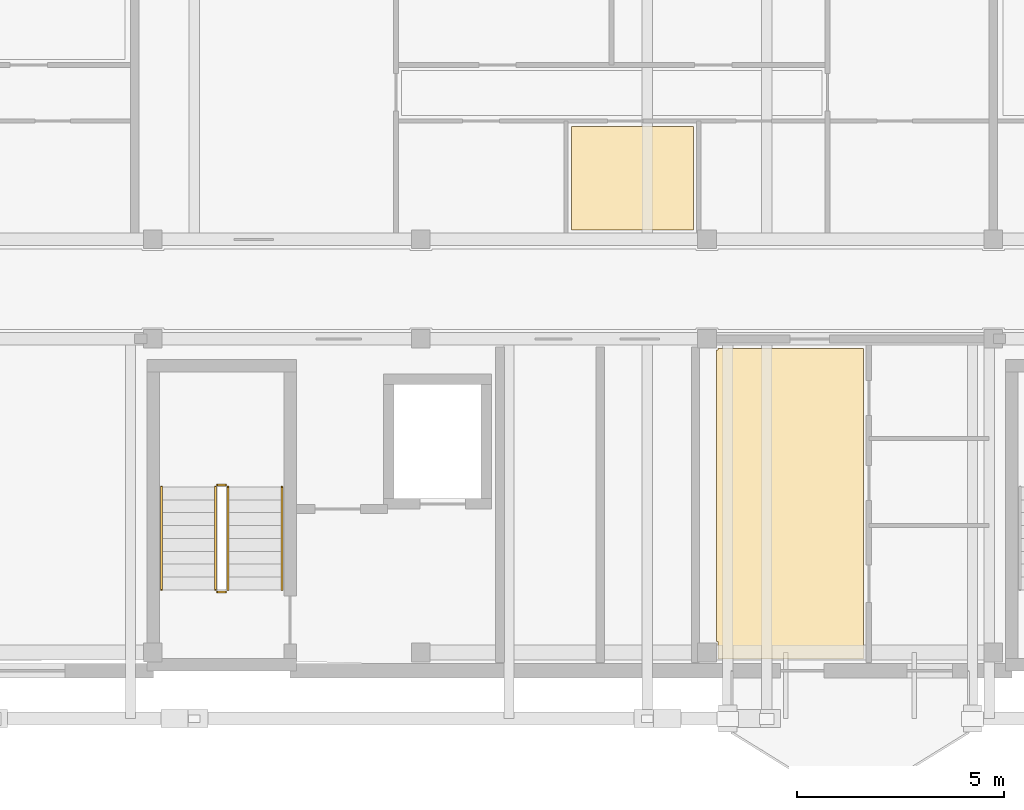
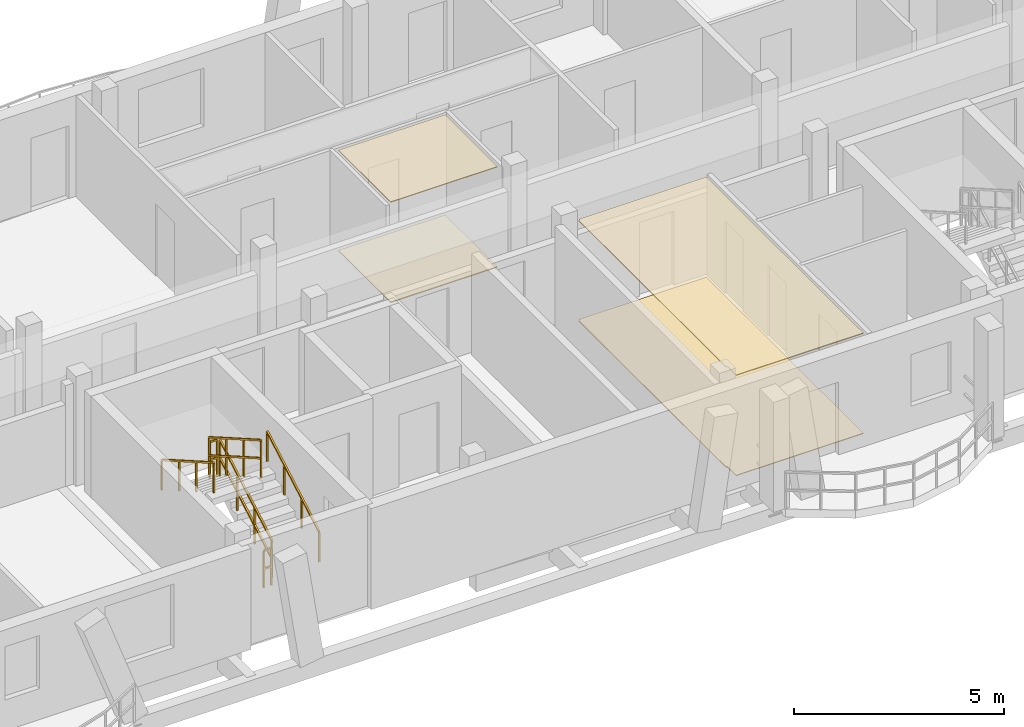
# One storey, part 49 of 52: 6 railings, 4 coverings.
"""IFC4 building model written with IfcOpenShell, lengths in metres."""

from ifc_helpers import new_model, si_unit, direction, frame, origin, origin_2d, place, context, subcontext, project, spatial, polyline, rectangle, outline, extrude, material, layer, layer_set, type_object, element, save


model = new_model("IFC4")

# Units and contexts
model_context = context("Model", 3, precision=1e-05, world=origin(), true_north=direction((0.0, 1.0)))
body_context = subcontext(model_context, "Body", "Model", "MODEL_VIEW")
ifc_project = project(units=[si_unit("LENGTHUNIT", "METRE"), si_unit("AREAUNIT", "SQUARE_METRE"), si_unit("VOLUMEUNIT", "CUBIC_METRE"), si_unit("PLANEANGLEUNIT", "RADIAN"), si_unit("MASSUNIT", "GRAM", prefix="KILO")], contexts=[model_context])

# Site, building, storey
site_placement = place(None, origin())
site = spatial("IfcSite", under=ifc_project, at=site_placement, CompositionType="ELEMENT")
building_placement = place(site_placement, origin())
building = spatial("IfcBuilding", under=site, at=building_placement, Name="Zavelmont Quarter", CompositionType="ELEMENT")
storey_placement = place(building_placement, frame((0.0, 0.0, 14.39990234375)))
storey = spatial("IfcBuildingStorey", under=building, at=storey_placement, Name="L04", CompositionType="ELEMENT", Elevation=14.39990234375)

# Coverings
ifc_material_1 = material(Name="Perforated acoustic gypsum board")
ifc_layer_1 = layer(ifc_material_1, 0.02490234375)
ifc_layer_set_1 = layer_set([ifc_layer_1], Name="Perforated acoustic gypsum board")
covering_type_1 = type_object("IfcCoveringType", Name="CV-CL01", PredefinedType="CEILING", material=ifc_layer_set_1)
covering_1_placement = place(storey_placement, frame((0.0, 0.0, 2.9150390625)))
element("IfcCovering", 1, at=covering_1_placement, inside=storey, type_object=covering_type_1, Name="L04 Living Dining acoustic ceiling", PredefinedType="CEILING", context=body_context, shape_type="SweptSolid", body=[
    extrude(outline(polyline([(140.6298828125, 105.3349609375), (140.6650390625, 105.3349609375), (140.6650390625, 105.3701171875), (144.169921875, 105.3701171875), (144.169921875, 97.8798828125), (140.6650390625, 97.8798828125), (140.6650390625, 98.304931640625), (140.6298828125, 98.304931640625), (140.6298828125, 105.3349609375)])), origin(), (0.0, 0.0, 1.0), 0.025146484375),
])
ifc_material_2 = material(Name="Moisture-resistant painted gypsum ceiling")
ifc_layer_2 = layer(ifc_material_2, 0.02001953125)
ifc_layer_set_2 = layer_set([ifc_layer_2], Name="Moisture-resistant painted gypsum ceiling")
covering_type_2 = type_object("IfcCoveringType", Name="CV-CL04", PredefinedType="CEILING", material=ifc_layer_set_2)
covering_2_placement = place(storey_placement, frame((0.0, 0.0, 2.920166015625)))
element("IfcCovering", 2, at=covering_2_placement, inside=storey, type_object=covering_type_2, Name="L04 Bathroom acoustic ceiling", PredefinedType="CEILING", context=body_context, shape_type="SweptSolid", body=[
    extrude(outline(polyline([(137.1298828125, 110.719970703125), (140.070068359375, 110.719970703125), (140.070068359375, 108.22998046875), (137.1298828125, 108.22998046875), (137.1298828125, 110.719970703125)])), origin(), (0.0, 0.0, 1.0), 0.02001953125),
])
ifc_material_3 = material(Name="Engineered European oak parquet")
ifc_layer_3 = layer(ifc_material_3, 0.02197265625)
ifc_layer_set_3 = layer_set([ifc_layer_3], Name="Engineered European oak parquet")
covering_type_3 = type_object("IfcCoveringType", Name="CV-FL01", PredefinedType="FLOORING", material=ifc_layer_set_3)
covering_3_placement = place(storey_placement, origin())
element("IfcCovering", 3, at=covering_3_placement, inside=storey, type_object=covering_type_3, Name="L04 Living Dining floor finish", PredefinedType="FLOORING", context=body_context, shape_type="SweptSolid", body=[
    extrude(outline(polyline([(140.6298828125, 105.3349609375), (140.6650390625, 105.3349609375), (140.6650390625, 105.3701171875), (144.169921875, 105.3701171875), (144.169921875, 97.8798828125), (140.6650390625, 97.8798828125), (140.6650390625, 98.304931640625), (140.6298828125, 98.304931640625), (140.6298828125, 105.3349609375)])), origin(), (0.0, 0.0, 1.0), 0.022216796875),
])
ifc_material_4 = material(Name="Slip-resistant porcelain tile")
ifc_layer_4 = layer(ifc_material_4, 0.02587890625)
ifc_layer_set_4 = layer_set([ifc_layer_4], Name="Slip-resistant porcelain tile")
covering_type_4 = type_object("IfcCoveringType", Name="CV-FL04", PredefinedType="FLOORING", material=ifc_layer_set_4)
covering_4_placement = place(storey_placement, origin())
element("IfcCovering", 4, at=covering_4_placement, inside=storey, type_object=covering_type_4, Name="L04 Bathroom floor finish", PredefinedType="FLOORING", context=body_context, shape_type="SweptSolid", body=[
    extrude(outline(polyline([(137.1298828125, 110.719970703125), (140.070068359375, 110.719970703125), (140.070068359375, 108.22998046875), (137.1298828125, 108.22998046875), (137.1298828125, 110.719970703125)])), origin(), (0.0, 0.0, 1.0), 0.026123046875),
])

# Railings
ifc_material_5 = material(Name="Powder-coated steel stair guardrail", Category="steel")
railing_type_1 = type_object("IfcRailingType", Name="RL-GRD1", PredefinedType="GUARDRAIL", material=ifc_material_5)
railing_1_placement = place(storey_placement, frame((128.85009765625, 99.550048828125, 0.177978515625)))
element("IfcRailing", 5, at=railing_1_placement, inside=storey, type_object=railing_type_1, Name="L04 ST05 stair guardrail 1", PredefinedType="GUARDRAIL", context=body_context, shape_type="SweptSolid", body=[
    extrude(rectangle(XDim=0.048095703125, YDim=0.048095703125, at=origin_2d()), frame((0.0, 0.0, 1.076171875), z_axis=(0.0, 0.867490628297, 0.497453525283), x_axis=(-1.0, 0.0, 0.0)), (0.0, 0.0, 1.0), 2.85888671875),
    extrude(rectangle(XDim=0.048095703125, YDim=0.048095703125, at=origin_2d()), frame((0.0, 0.0, 0.550048828125), z_axis=(0.0, 0.867490628297, 0.497453525283), x_axis=(-1.0, 0.0, 0.0)), (0.0, 0.0, 1.0), 2.85888671875),
    extrude(rectangle(XDim=0.0419921875, YDim=0.0419921875, at=origin_2d()), origin(), (0.0, 0.0, 1.0), 1.052001953125),
    extrude(rectangle(XDim=0.0419921875, YDim=0.0419921875, at=origin_2d()), frame((0.0, 0.82666015625, 0.47412109375)), (0.0, 0.0, 1.0), 1.052001953125),
    extrude(rectangle(XDim=0.0419921875, YDim=0.0419921875, at=origin_2d()), frame((0.0, 1.6533203125, 0.947998046875)), (0.0, 0.0, 1.0), 1.052001953125),
    extrude(rectangle(XDim=0.0419921875, YDim=0.0419921875, at=origin_2d()), frame((0.0, 2.47998046875, 1.422119140625)), (0.0, 0.0, 1.0), 1.052001953125),
])
railing_2_placement = place(storey_placement, frame((128.800048828125, 102.080078125, 1.60009765625)))
element("IfcRailing", 6, at=railing_2_placement, inside=storey, type_object=railing_type_1, Name="L04 ST05 stair guardrail 2", PredefinedType="GUARDRAIL", context=body_context, shape_type="SweptSolid", body=[
    extrude(rectangle(XDim=0.048095703125, YDim=0.048095703125, at=origin_2d()), frame((0.0, 0.0, 1.076171875), z_axis=(-1.0, 0.0, 0.0), x_axis=(0.0, -1.0, 0.0)), (0.0, 0.0, 1.0), 0.199951171875),
    extrude(rectangle(XDim=0.048095703125, YDim=0.048095703125, at=origin_2d()), frame((0.0, 0.0, 0.550048828125), z_axis=(-1.0, 0.0, 0.0), x_axis=(0.0, -1.0, 0.0)), (0.0, 0.0, 1.0), 0.199951171875),
    extrude(rectangle(XDim=0.0419921875, YDim=0.0419921875, at=origin_2d()), origin(), (0.0, 0.0, 1.0), 1.052001953125),
    extrude(rectangle(XDim=0.0419921875, YDim=0.0419921875, at=origin_2d()), frame((-0.199951171875, 0.0, 0.0)), (0.0, 0.0, 1.0), 1.052001953125),
])
railing_3_placement = place(storey_placement, frame((128.550048828125, 102.030029296875, 1.77783203125)))
element("IfcRailing", 7, at=railing_3_placement, inside=storey, type_object=railing_type_1, Name="L04 ST05 stair guardrail 3", PredefinedType="GUARDRAIL", context=body_context, shape_type="SweptSolid", body=[
    extrude(rectangle(XDim=0.048095703125, YDim=0.048095703125, at=origin_2d()), frame((0.0, 0.0, 1.076171875), z_axis=(0.0, -0.867453774394, 0.497517787913), x_axis=(1.0, 0.0, 0.0)), (0.0, 0.0, 1.0), 2.85888671875),
    extrude(rectangle(XDim=0.048095703125, YDim=0.048095703125, at=origin_2d()), frame((0.0, 0.0, 0.550048828125), z_axis=(0.0, -0.867453774394, 0.497517787913), x_axis=(1.0, 0.0, 0.0)), (0.0, 0.0, 1.0), 2.85888671875),
    extrude(rectangle(XDim=0.0419921875, YDim=0.0419921875, at=origin_2d()), origin(), (0.0, 0.0, 1.0), 1.052001953125),
    extrude(rectangle(XDim=0.0419921875, YDim=0.0419921875, at=origin_2d()), frame((0.0, -0.82666015625, 0.47412109375)), (0.0, 0.0, 1.0), 1.052001953125),
    extrude(rectangle(XDim=0.0419921875, YDim=0.0419921875, at=origin_2d()), frame((0.0, -1.6533203125, 0.9482421875)), (0.0, 0.0, 1.0), 1.052001953125),
    extrude(rectangle(XDim=0.0419921875, YDim=0.0419921875, at=origin_2d()), frame((0.0, -2.47998046875, 1.42236328125)), (0.0, 0.0, 1.0), 1.052001953125),
])
railing_4_placement = place(storey_placement, frame((128.800048828125, 99.5, 0.0)))
element("IfcRailing", 8, at=railing_4_placement, inside=storey, type_object=railing_type_1, Name="L04 ST05 stair guardrail 4", PredefinedType="GUARDRAIL", context=body_context, shape_type="SweptSolid", body=[
    extrude(rectangle(XDim=0.048095703125, YDim=0.048095703125, at=origin_2d()), frame((0.0, 0.0, 1.076171875), z_axis=(-1.0, 0.0, 0.0), x_axis=(0.0, -1.0, 0.0)), (0.0, 0.0, 1.0), 0.199951171875),
    extrude(rectangle(XDim=0.048095703125, YDim=0.048095703125, at=origin_2d()), frame((0.0, 0.0, 0.550048828125), z_axis=(-1.0, 0.0, 0.0), x_axis=(0.0, -1.0, 0.0)), (0.0, 0.0, 1.0), 0.199951171875),
    extrude(rectangle(XDim=0.0419921875, YDim=0.0419921875, at=origin_2d()), origin(), (0.0, 0.0, 1.0), 1.052001953125),
    extrude(rectangle(XDim=0.0419921875, YDim=0.0419921875, at=origin_2d()), frame((-0.199951171875, 0.0, 0.0)), (0.0, 0.0, 1.0), 1.052001953125),
])
ifc_material_6 = material(Name="Brushed stainless-steel wall handrail", Category="steel")
railing_type_2 = type_object("IfcRailingType", Name="RL-HND1", PredefinedType="HANDRAIL", material=ifc_material_6)
railing_5_placement = place(storey_placement, frame((130.14990234375, 99.550048828125, 0.177978515625)))
element("IfcRailing", 9, at=railing_5_placement, inside=storey, type_object=railing_type_2, Name="L04 ST05 stair handrail 1", PredefinedType="HANDRAIL", context=body_context, shape_type="SweptSolid", body=[
    extrude(rectangle(XDim=0.048095703125, YDim=0.048095703125, at=origin_2d()), frame((0.0, 0.0, 0.8759765625), z_axis=(0.0, 0.867490628297, 0.497453525283), x_axis=(-1.0, 0.0, 0.0)), (0.0, 0.0, 1.0), 2.85888671875),
    extrude(rectangle(XDim=0.0419921875, YDim=0.0419921875, at=origin_2d()), origin(), (0.0, 0.0, 1.0), 0.851806640625),
    extrude(rectangle(XDim=0.0419921875, YDim=0.0419921875, at=origin_2d()), frame((0.0, 0.82666015625, 0.47412109375)), (0.0, 0.0, 1.0), 0.851806640625),
    extrude(rectangle(XDim=0.0419921875, YDim=0.0419921875, at=origin_2d()), frame((0.0, 1.6533203125, 0.947998046875)), (0.0, 0.0, 1.0), 0.851806640625),
    extrude(rectangle(XDim=0.0419921875, YDim=0.0419921875, at=origin_2d()), frame((0.0, 2.47998046875, 1.422119140625)), (0.0, 0.0, 1.0), 0.851806640625),
])
railing_6_placement = place(storey_placement, frame((127.25, 102.030029296875, 1.77783203125)))
element("IfcRailing", 10, at=railing_6_placement, inside=storey, type_object=railing_type_2, Name="L04 ST05 stair handrail 2", PredefinedType="HANDRAIL", context=body_context, shape_type="SweptSolid", body=[
    extrude(rectangle(XDim=0.048095703125, YDim=0.048095703125, at=origin_2d()), frame((0.0, 0.0, 0.8759765625), z_axis=(0.0, -0.867453774394, 0.497517787913), x_axis=(1.0, 0.0, 0.0)), (0.0, 0.0, 1.0), 2.85888671875),
    extrude(rectangle(XDim=0.0419921875, YDim=0.0419921875, at=origin_2d()), origin(), (0.0, 0.0, 1.0), 0.851806640625),
    extrude(rectangle(XDim=0.0419921875, YDim=0.0419921875, at=origin_2d()), frame((0.0, -0.82666015625, 0.47412109375)), (0.0, 0.0, 1.0), 0.851806640625),
    extrude(rectangle(XDim=0.0419921875, YDim=0.0419921875, at=origin_2d()), frame((0.0, -1.6533203125, 0.9482421875)), (0.0, 0.0, 1.0), 0.851806640625),
    extrude(rectangle(XDim=0.0419921875, YDim=0.0419921875, at=origin_2d()), frame((0.0, -2.47998046875, 1.42236328125)), (0.0, 0.0, 1.0), 0.851806640625),
])

save(model, "model.ifc")
